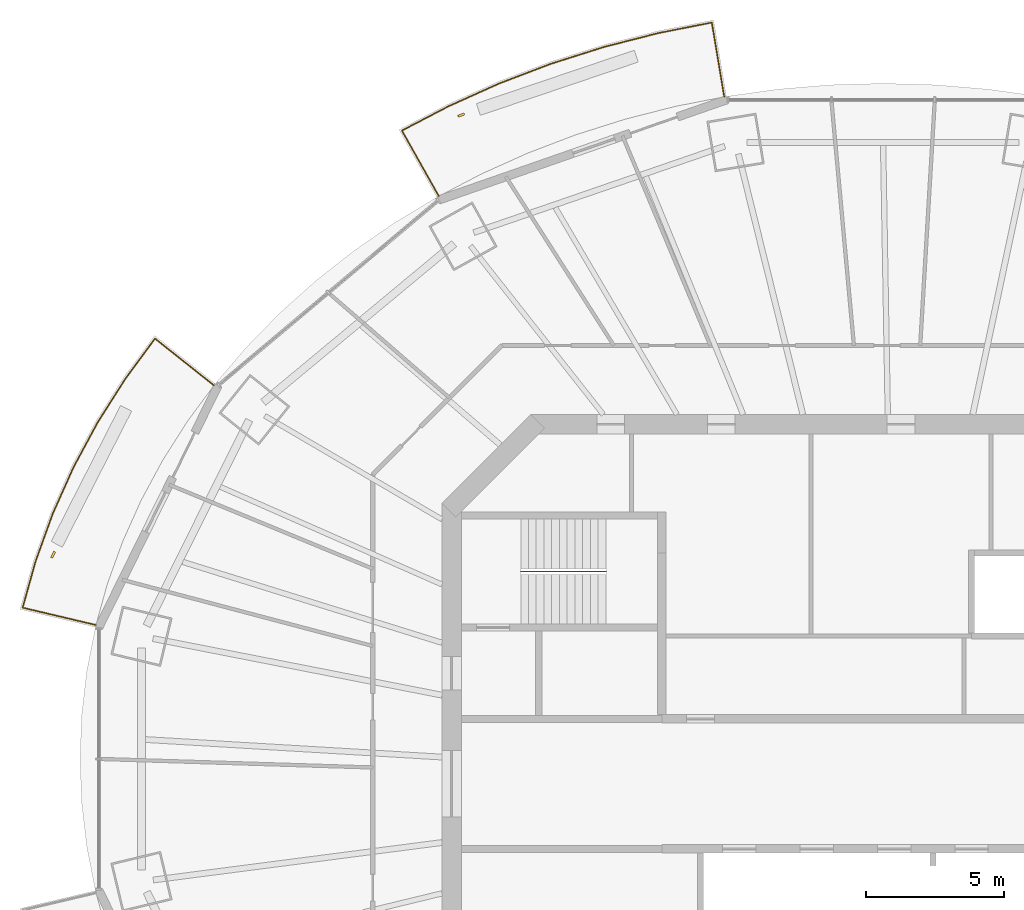
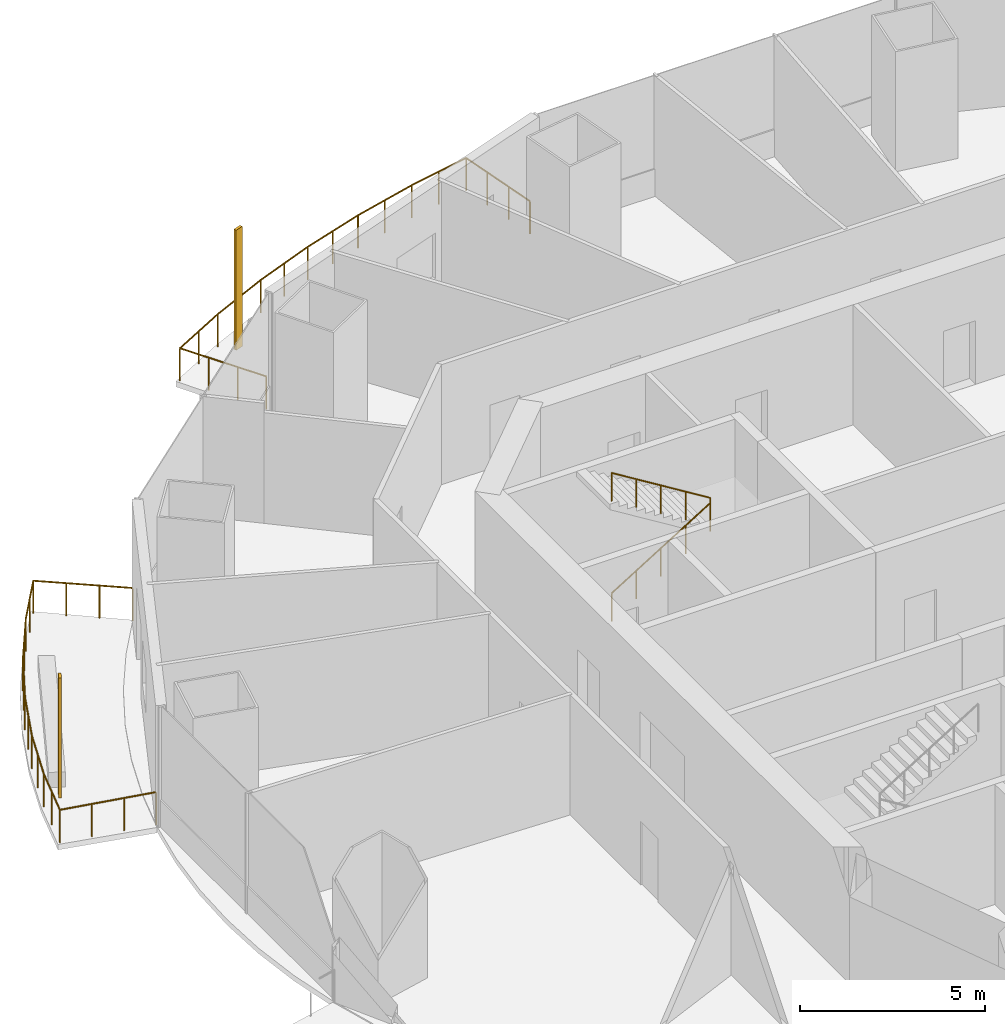
# One storey, part 14 of 16: 3 railings, 2 shading devices.
"""IFC4 building model written with IfcOpenShell, lengths in metres."""

from ifc_helpers import new_model, si_unit, direction, frame, origin, origin_2d, place, context, subcontext, project, spatial, rectangle, circle, extrude, material, material_profile, profile_set, type_object, element, save


model = new_model("IFC4")

# Units and contexts
model_context = context("Model", 3, precision=1e-05, world=origin(), true_north=direction((0.0, 1.0)))
body_context = subcontext(model_context, "Body", "Model", "MODEL_VIEW")
ifc_project = project(units=[si_unit("LENGTHUNIT", "METRE"), si_unit("AREAUNIT", "SQUARE_METRE"), si_unit("VOLUMEUNIT", "CUBIC_METRE"), si_unit("PLANEANGLEUNIT", "RADIAN"), si_unit("MASSUNIT", "GRAM", prefix="KILO")], contexts=[model_context])

# Site, building, storey
site_placement = place(None, origin())
site = spatial("IfcSite", under=ifc_project, at=site_placement, CompositionType="ELEMENT")
building_placement = place(site_placement, origin())
building = spatial("IfcBuilding", under=site, at=building_placement, Name="Marenthal Gate Tower", CompositionType="ELEMENT")
storey_placement = place(building_placement, frame((0.0, 0.0, 288.64990234375)))
storey = spatial("IfcBuildingStorey", under=building, at=storey_placement, Name="L64", CompositionType="ELEMENT", Elevation=288.64990234375)

# Railings
ifc_material_1 = material(Name="Stainless steel", Category="steel")
railing_type_1 = type_object("IfcRailingType", Name="Balcony guard 1100", PredefinedType="GUARDRAIL", material=ifc_material_1)
railing_1_placement = place(storey_placement, frame((-16.462890625, 21.24609375, 0.0)))
element("IfcRailing", 1, at=railing_1_placement, inside=storey, type_object=railing_type_1, Name="Balcony guard L64 bay 5", PredefinedType="GUARDRAIL", context=body_context, shape_type="SweptSolid", body=[
    extrude(circle(Radius=0.02392578125, at=origin_2d()), frame((0.0, 0.0, 1.076171875), z_axis=(-0.490178956797, 0.871499057022, -0.0146281893), x_axis=(-0.871592315383, -0.490231410423, 0.0)), (0.0, 0.0, 1.0), 2.720458984375),
    extrude(circle(Radius=0.02392578125, at=origin_2d()), frame((-1.33349609375, 2.370849609375, 1.0361328125), z_axis=(0.886708263063, 0.462329380654, 0.0), x_axis=(-0.462329380654, 0.886708263063, 0.0)), (0.0, 0.0, 1.0), 1.904296875),
    extrude(circle(Radius=0.02392578125, at=origin_2d()), frame((0.35498046875, 3.251220703125, 1.0361328125), z_axis=(0.912054102505, 0.410069889293, 0.0), x_axis=(-0.410069889293, 0.912054102505, 0.0)), (0.0, 0.0, 1.0), 1.99755859375),
    extrude(circle(Radius=0.02392578125, at=origin_2d()), frame((2.1767578125, 4.0703125, 1.0361328125), z_axis=(0.934433846475, 0.356136752614, 0.0), x_axis=(-0.356136752614, 0.934433846475, 0.0)), (0.0, 0.0, 1.0), 2.010009765625),
    extrude(circle(Radius=0.02392578125, at=origin_2d()), frame((4.054931640625, 4.7861328125, 1.0361328125), z_axis=(0.953335850503, 0.301911835054, 0.0), x_axis=(-0.301911835054, 0.953335850503, 0.0)), (0.0, 0.0, 1.0), 2.020751953125),
    extrude(circle(Radius=0.02392578125, at=origin_2d()), frame((5.9814453125, 5.396240234375, 1.0361328125), z_axis=(0.968985746555, 0.247116618165, 0.0), x_axis=(-0.247116618165, 0.968985746555, 0.0)), (0.0, 0.0, 1.0), 2.0302734375),
    extrude(circle(Radius=0.02392578125, at=origin_2d()), frame((7.94873046875, 5.89794921875, 1.0361328125), z_axis=(0.981076209682, 0.193621979113, 0.0), x_axis=(-0.193621979113, 0.981076209682, 0.0)), (0.0, 0.0, 1.0), 1.958251953125),
    extrude(circle(Radius=0.02392578125, at=origin_2d()), frame((9.869873046875, 6.277099609375, 1.0361328125), z_axis=(0.165138148772, -0.986161944948, 0.014629086005), x_axis=(0.986267486225, 0.165155822229, 0.0)), (0.0, 0.0, 1.0), 2.72021484375),
    extrude(circle(Radius=0.02099609375, at=origin_2d()), origin(), (0.0, 0.0, 1.0), 1.052001953125),
    extrude(circle(Radius=0.02099609375, at=origin_2d()), frame((-0.444580078125, 0.790283203125, -0.01318359375)), (0.0, 0.0, 1.0), 1.052001953125),
    extrude(circle(Radius=0.02099609375, at=origin_2d()), frame((-0.888916015625, 1.58056640625, -0.026611328125)), (0.0, 0.0, 1.0), 1.052001953125),
    extrude(circle(Radius=0.02099609375, at=origin_2d()), frame((-1.33349609375, 2.370849609375, -0.039794921875)), (0.0, 0.0, 1.0), 1.052001953125),
    extrude(circle(Radius=0.02099609375, at=origin_2d()), frame((-0.4892578125, 2.81103515625, -0.039794921875)), (0.0, 0.0, 1.0), 1.052001953125),
    extrude(circle(Radius=0.02099609375, at=origin_2d()), frame((0.35498046875, 3.251220703125, -0.039794921875)), (0.0, 0.0, 1.0), 1.052001953125),
    extrude(circle(Radius=0.02099609375, at=origin_2d()), frame((1.265869140625, 3.66064453125, -0.039794921875)), (0.0, 0.0, 1.0), 1.052001953125),
    extrude(circle(Radius=0.02099609375, at=origin_2d()), frame((2.1767578125, 4.0703125, -0.039794921875)), (0.0, 0.0, 1.0), 1.052001953125),
    extrude(circle(Radius=0.02099609375, at=origin_2d()), frame((3.11572265625, 4.42822265625, -0.039794921875)), (0.0, 0.0, 1.0), 1.052001953125),
    extrude(circle(Radius=0.02099609375, at=origin_2d()), frame((4.054931640625, 4.7861328125, -0.039794921875)), (0.0, 0.0, 1.0), 1.052001953125),
    extrude(circle(Radius=0.02099609375, at=origin_2d()), frame((5.01806640625, 5.09130859375, -0.039794921875)), (0.0, 0.0, 1.0), 1.052001953125),
    extrude(circle(Radius=0.02099609375, at=origin_2d()), frame((5.9814453125, 5.396240234375, -0.039794921875)), (0.0, 0.0, 1.0), 1.052001953125),
    extrude(circle(Radius=0.02099609375, at=origin_2d()), frame((6.965087890625, 5.64697265625, -0.039794921875)), (0.0, 0.0, 1.0), 1.052001953125),
    extrude(circle(Radius=0.02099609375, at=origin_2d()), frame((7.94873046875, 5.89794921875, -0.039794921875)), (0.0, 0.0, 1.0), 1.052001953125),
    extrude(circle(Radius=0.02099609375, at=origin_2d()), frame((8.9091796875, 6.08740234375, -0.039794921875)), (0.0, 0.0, 1.0), 1.052001953125),
    extrude(circle(Radius=0.02099609375, at=origin_2d()), frame((9.869873046875, 6.277099609375, -0.039794921875)), (0.0, 0.0, 1.0), 1.052001953125),
    extrude(circle(Radius=0.02099609375, at=origin_2d()), frame((10.01953125, 5.3828125, -0.026611328125)), (0.0, 0.0, 1.0), 1.052001953125),
    extrude(circle(Radius=0.02099609375, at=origin_2d()), frame((10.16943359375, 4.48876953125, -0.01318359375)), (0.0, 0.0, 1.0), 1.052001953125),
    extrude(circle(Radius=0.02099609375, at=origin_2d()), frame((10.319091796875, 3.594482421875, 0.0)), (0.0, 0.0, 1.0), 1.052001953125),
])
railing_2_placement = place(storey_placement, frame((-28.861572265625, 5.742431640625, 0.0)))
element("IfcRailing", 2, at=railing_2_placement, inside=storey, type_object=railing_type_1, Name="Balcony guard L64 bay 7", PredefinedType="GUARDRAIL", context=body_context, shape_type="SweptSolid", body=[
    extrude(circle(Radius=0.02392578125, at=origin_2d()), frame((0.0, 0.0, 1.076171875), z_axis=(-0.973098377557, 0.22992511697, -0.01462833492), x_axis=(-0.229949721547, -0.973202510046, 0.0)), (0.0, 0.0, 1.0), 2.720458984375),
    extrude(circle(Radius=0.02392578125, at=origin_2d()), frame((-2.647216796875, 0.62548828125, 1.0361328125), z_axis=(0.268792920524, 0.963197988929, 0.0), x_axis=(-0.963197988929, 0.268792920524, 0.0)), (0.0, 0.0, 1.0), 1.7421875),
    extrude(circle(Radius=0.02392578125, at=origin_2d()), frame((-2.178955078125, 2.303466796875, 1.0361328125), z_axis=(0.339224848664, 0.94070532158, 0.0), x_axis=(-0.94070532158, 0.339224848664, 0.0)), (0.0, 0.0, 1.0), 1.830322265625),
    extrude(circle(Radius=0.02392578125, at=origin_2d()), frame((-1.55810546875, 4.025146484375, 1.0361328125), z_axis=(0.408427160426, 0.912790915066, 0.0), x_axis=(-0.912790915066, 0.408427160426, 0.0)), (0.0, 0.0, 1.0), 1.83984375),
    extrude(circle(Radius=0.02392578125, at=origin_2d()), frame((-0.806640625, 5.70458984375, 1.0361328125), z_axis=(0.474178476771, 0.880428743379, 0.0), x_axis=(-0.880428743379, 0.474178476771, 0.0)), (0.0, 0.0, 1.0), 1.85107421875),
    extrude(circle(Radius=0.02392578125, at=origin_2d()), frame((0.071044921875, 7.334228515625, 1.0361328125), z_axis=(0.536341470097, 0.844001082614, 0.0), x_axis=(-0.844001082614, 0.536341470097, 0.0)), (0.0, 0.0, 1.0), 1.864013671875),
    extrude(circle(Radius=0.02392578125, at=origin_2d()), frame((1.07080078125, 8.907470703125, 1.0361328125), z_axis=(0.593175870863, 0.805072907398, 0.0), x_axis=(-0.805072907398, 0.593175870863, 0.0)), (0.0, 0.0, 1.0), 1.79736328125),
    extrude(circle(Radius=0.02392578125, at=origin_2d()), frame((2.136962890625, 10.3544921875, 1.0361328125), z_axis=(0.783213412128, -0.621580851656, 0.01462859931), x_axis=(0.621647370214, 0.783297227817, 0.0)), (0.0, 0.0, 1.0), 2.720458984375),
    extrude(circle(Radius=0.02099609375, at=origin_2d()), origin(), (0.0, 0.0, 1.0), 1.052001953125),
    extrude(circle(Radius=0.02099609375, at=origin_2d()), frame((-0.88232421875, 0.20849609375, -0.01318359375)), (0.0, 0.0, 1.0), 1.052001953125),
    extrude(circle(Radius=0.02099609375, at=origin_2d()), frame((-1.764892578125, 0.4169921875, -0.026611328125)), (0.0, 0.0, 1.0), 1.052001953125),
    extrude(circle(Radius=0.02099609375, at=origin_2d()), frame((-2.647216796875, 0.62548828125, -0.039794921875)), (0.0, 0.0, 1.0), 1.052001953125),
    extrude(circle(Radius=0.02099609375, at=origin_2d()), frame((-2.4130859375, 1.46435546875, -0.039794921875)), (0.0, 0.0, 1.0), 1.052001953125),
    extrude(circle(Radius=0.02099609375, at=origin_2d()), frame((-2.178955078125, 2.303466796875, -0.039794921875)), (0.0, 0.0, 1.0), 1.052001953125),
    extrude(circle(Radius=0.02099609375, at=origin_2d()), frame((-1.86865234375, 3.164306640625, -0.039794921875)), (0.0, 0.0, 1.0), 1.052001953125),
    extrude(circle(Radius=0.02099609375, at=origin_2d()), frame((-1.55810546875, 4.025146484375, -0.039794921875)), (0.0, 0.0, 1.0), 1.052001953125),
    extrude(circle(Radius=0.02099609375, at=origin_2d()), frame((-1.182373046875, 4.86474609375, -0.039794921875)), (0.0, 0.0, 1.0), 1.052001953125),
    extrude(circle(Radius=0.02099609375, at=origin_2d()), frame((-0.806640625, 5.70458984375, -0.039794921875)), (0.0, 0.0, 1.0), 1.052001953125),
    extrude(circle(Radius=0.02099609375, at=origin_2d()), frame((-0.36767578125, 6.51953125, -0.039794921875)), (0.0, 0.0, 1.0), 1.052001953125),
    extrude(circle(Radius=0.02099609375, at=origin_2d()), frame((0.071044921875, 7.334228515625, -0.039794921875)), (0.0, 0.0, 1.0), 1.052001953125),
    extrude(circle(Radius=0.02099609375, at=origin_2d()), frame((0.57080078125, 8.120849609375, -0.039794921875)), (0.0, 0.0, 1.0), 1.052001953125),
    extrude(circle(Radius=0.02099609375, at=origin_2d()), frame((1.07080078125, 8.907470703125, -0.039794921875)), (0.0, 0.0, 1.0), 1.052001953125),
    extrude(circle(Radius=0.02099609375, at=origin_2d()), frame((1.60400390625, 9.630859375, -0.039794921875)), (0.0, 0.0, 1.0), 1.052001953125),
    extrude(circle(Radius=0.02099609375, at=origin_2d()), frame((2.136962890625, 10.3544921875, -0.039794921875)), (0.0, 0.0, 1.0), 1.052001953125),
    extrude(circle(Radius=0.02099609375, at=origin_2d()), frame((2.84716796875, 9.790771484375, -0.026611328125)), (0.0, 0.0, 1.0), 1.052001953125),
    extrude(circle(Radius=0.02099609375, at=origin_2d()), frame((3.557373046875, 9.227294921875, -0.01318359375)), (0.0, 0.0, 1.0), 1.052001953125),
    extrude(circle(Radius=0.02099609375, at=origin_2d()), frame((4.267578125, 8.66357421875, 0.0)), (0.0, 0.0, 1.0), 1.052001953125),
])
ifc_material_2 = material(Name="Stainless steel", Category="steel")
railing_type_2 = type_object("IfcRailingType", Name="Stair handrail", PredefinedType="HANDRAIL", material=ifc_material_2)
railing_3_placement = place(storey_placement, frame((-13.5, 7.675048828125, 0.173095703125)))
element("IfcRailing", 3, at=railing_3_placement, inside=storey, type_object=railing_type_2, Name="Handrail ST1", PredefinedType="HANDRAIL", context=body_context, shape_type="SweptSolid", body=[
    extrude(circle(Radius=0.0224609375, at=origin_2d()), frame((0.0, 0.0, 0.927490234375), z_axis=(0.850835241893, 0.0, 0.525432575268), x_axis=(0.0, 1.0, 0.0)), (0.0, 0.0, 1.0), 3.6201171875),
    extrude(circle(Radius=0.0224609375, at=origin_2d()), frame((3.080078125, 0.0, 2.82958984375), z_axis=(0.0, 0.0, 1.0), x_axis=(1.0, 0.0, 0.0)), (0.0, 0.0, 1.0), 0.1728515625),
    extrude(circle(Radius=0.0224609375, at=origin_2d()), frame((3.080078125, 0.0, 3.00244140625), z_axis=(-0.850835241893, 0.0, 0.525432575268), x_axis=(0.0, -1.0, 0.0)), (0.0, 0.0, 1.0), 3.6201171875),
    extrude(circle(Radius=0.02001953125, at=origin_2d()), origin(), (0.0, 0.0, 1.0), 0.905029296875),
    extrude(circle(Radius=0.02001953125, at=origin_2d()), frame((0.77001953125, 0.0, 0.4755859375)), (0.0, 0.0, 1.0), 0.905029296875),
    extrude(circle(Radius=0.02001953125, at=origin_2d()), frame((1.5400390625, 0.0, 0.951171875)), (0.0, 0.0, 1.0), 0.905029296875),
    extrude(circle(Radius=0.02001953125, at=origin_2d()), frame((2.31005859375, 0.0, 1.426513671875)), (0.0, 0.0, 1.0), 0.905029296875),
    extrude(circle(Radius=0.02001953125, at=origin_2d()), frame((3.080078125, 0.0, 1.902099609375)), (0.0, 0.0, 1.0), 0.905029296875),
    extrude(circle(Radius=0.02001953125, at=origin_2d()), frame((3.080078125, 0.0, 2.074951171875)), (0.0, 0.0, 1.0), 0.905029296875),
    extrude(circle(Radius=0.02001953125, at=origin_2d()), frame((2.31005859375, 0.0, 2.550537109375)), (0.0, 0.0, 1.0), 0.905029296875),
    extrude(circle(Radius=0.02001953125, at=origin_2d()), frame((1.5400390625, 0.0, 3.02587890625)), (0.0, 0.0, 1.0), 0.905029296875),
    extrude(circle(Radius=0.02001953125, at=origin_2d()), frame((0.77001953125, 0.0, 3.50146484375)), (0.0, 0.0, 1.0), 0.905029296875),
    extrude(circle(Radius=0.02001953125, at=origin_2d()), frame((0.0, 0.0, 3.97705078125)), (0.0, 0.0, 1.0), 0.905029296875),
])

# Shading devices
ifc_material_3 = material(Name="Terracotta", Category="masonry")
ifc_material_profile = material_profile(ifc_material_3, rectangle(XDim=0.25, YDim=0.080078125, at=origin_2d()), Name="Terracotta baguette 250x80")
ifc_profile_set = profile_set([ifc_material_profile], Name="Terracotta")
shading_device_type = type_object("IfcShadingDeviceType", Name="Terracotta BAGUETTE SCREEN 250x80", PredefinedType="USERDEFINED", material=ifc_profile_set)
for number, where, z_axis, x_axis, name in (
    (4, (-15.6533203125, 24.1767578125, -0.039794921875), (0.0, 0.0, 1.0), (-0.944304873933, -0.329071884345, 0.0), "Terracotta BAGUETTE L64 bay 5R"),
    (5, (-30.40234375, 8.28515625, -0.039794921875), (0.0, 0.0, 1.0), (-0.441711416968, -0.897157190307, 0.0), "Terracotta BAGUETTE L64 bay 7R"),
):
    element("IfcShadingDevice", number, at=place(storey_placement, frame(where, z_axis=z_axis, x_axis=x_axis)), inside=storey, type_object=shading_device_type, Name=name, ObjectType="BAGUETTE SCREEN", PredefinedType="USERDEFINED", context=body_context, shape_type="SweptSolid", body=[
        extrude(rectangle(XDim=0.25, YDim=0.080078125, at=origin_2d()), origin(), (0.0, 0.0, 1.0), 3.969970703125),
    ])

save(model, "model.ifc")
